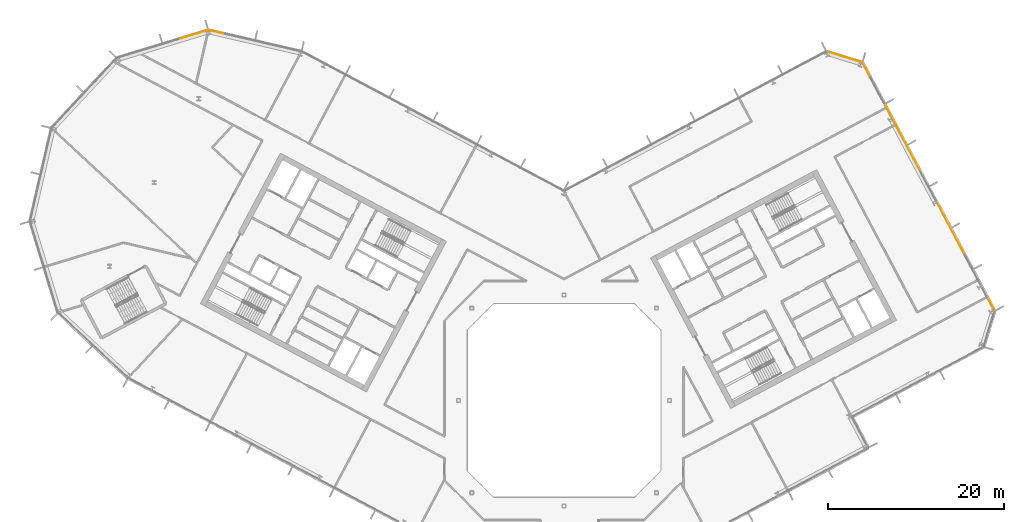
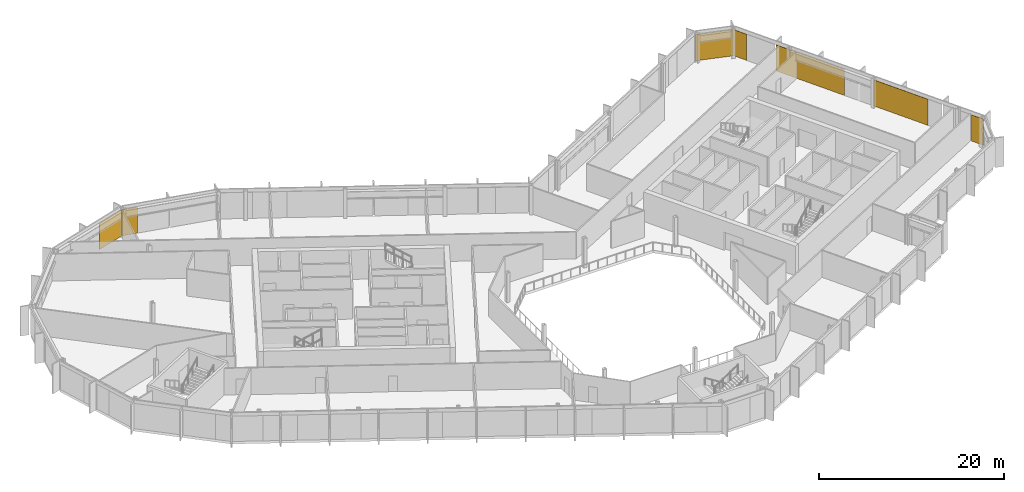
# One storey, part 27 of 27: 7 coverings, 4 elements without a shape of their own.
"""IFC4 building model written with IfcOpenShell, lengths in metres."""

from ifc_helpers import new_model, si_unit, direction, frame, origin, origin_2d, place, context, subcontext, project, spatial, rectangle, extrude, material, layer, layer_set, type_object, element, aggregate, save


model = new_model("IFC4")

# Units and contexts
model_context = context("Model", 3, precision=1e-05, world=origin(), true_north=direction((0.0, 1.0)))
body_context = subcontext(model_context, "Body", "Model", "MODEL_VIEW")
ifc_project = project(units=[si_unit("LENGTHUNIT", "METRE"), si_unit("AREAUNIT", "SQUARE_METRE"), si_unit("VOLUMEUNIT", "CUBIC_METRE"), si_unit("PLANEANGLEUNIT", "RADIAN"), si_unit("MASSUNIT", "GRAM", prefix="KILO")], contexts=[model_context])

# Site, building, storey
site_placement = place(None, origin())
site = spatial("IfcSite", under=ifc_project, at=site_placement, CompositionType="ELEMENT")
building_placement = place(site_placement, origin())
building = spatial("IfcBuilding", under=site, at=building_placement, Name="Cormorant Relay Tower", CompositionType="ELEMENT")
storey_placement = place(building_placement, frame((0.0, 0.0, 232.5)))
storey = spatial("IfcBuildingStorey", under=building, at=storey_placement, Name="L51", CompositionType="ELEMENT", Elevation=232.5)

# Curtain wall, coverings
ifc_material_1 = material(Name="Aluminium 6063-T6 anodised bronze", Category="aluminium")
ifc_layer_1 = layer(ifc_material_1, 0.199951171875)
ifc_layer_set_1 = layer_set([ifc_layer_1], Name="CW1 unitised bronze curtain wall with vertical fins")
curtain_wall_type = type_object("IfcCurtainWallType", Name="CW1 unitised bronze curtain wall with vertical fins", PredefinedType="NOTDEFINED", material=ifc_layer_set_1)
curtain_wall_1_placement = place(storey_placement, origin())
curtain_wall_1 = element("IfcCurtainWall", 1, at=curtain_wall_1_placement, inside=storey, type_object=curtain_wall_type, Name="CW1 curtain wall 6", PredefinedType="NOTDEFINED")
ifc_material_2 = material(Name="Pale bronze anodised aluminium insulated panel", Category="aluminium")
ifc_layer_2 = layer(ifc_material_2, 0.0400390625)
ifc_layer_set_2 = layer_set([ifc_layer_2], Name="CW1 pale bronze insulated panel 40")
covering_type = type_object("IfcCoveringType", Name="CW1 pale bronze insulated panel 40", PredefinedType="CLADDING", material=ifc_layer_set_2)
covering_1_placement = place(storey_placement, frame((48.56494140625, 10.947998046875, 0.0), z_axis=(0.0, 0.0, 1.0), x_axis=(-0.469471562786, 0.882947592859, 0.0)))
covering_1 = element("IfcCovering", 2, at=covering_1_placement, type_object=covering_type, Name="CW1 panel S00", PredefinedType="CLADDING", context=body_context, shape_type="SweptSolid", body=[
    extrude(rectangle(XDim=1.583251953125, YDim=0.0400390625, at=origin_2d()), origin(), (0.0, 0.0, 1.0), 3.449951171875),
])
covering_2_placement = place(storey_placement, frame((43.964111328125, 19.600830078125, 0.0), z_axis=(0.0, 0.0, 1.0), x_axis=(-0.469471562786, 0.882947592859, 0.0)))
covering_2 = element("IfcCovering", 3, at=covering_2_placement, type_object=covering_type, Name="CW1 panel S03", PredefinedType="CLADDING", context=body_context, shape_type="SweptSolid", body=[
    extrude(rectangle(XDim=6.916748046875, YDim=0.0400390625, at=origin_2d()), origin(), (0.0, 0.0, 1.0), 3.449951171875),
])
covering_3_placement = place(storey_placement, frame((38.53369140625, 29.813720703125, 0.0), z_axis=(0.0, 0.0, 1.0), x_axis=(-0.469471562786, 0.882947592859, 0.0)))
covering_3 = element("IfcCovering", 4, at=covering_3_placement, type_object=covering_type, Name="CW1 panel S06", PredefinedType="CLADDING", context=body_context, shape_type="SweptSolid", body=[
    extrude(rectangle(XDim=8.716796875, YDim=0.0400390625, at=origin_2d()), origin(), (0.0, 0.0, 1.0), 3.449951171875),
])
covering_4_placement = place(storey_placement, frame((34.337890625, 37.705078125, 0.0), z_axis=(0.0, 0.0, 1.0), x_axis=(-0.469471562786, 0.882947592859, 0.0)))
covering_4 = element("IfcCovering", 5, at=covering_4_placement, type_object=covering_type, Name="CW1 panel S08", PredefinedType="CLADDING", context=body_context, shape_type="SweptSolid", body=[
    extrude(rectangle(XDim=1.658203125, YDim=0.0400390625, at=origin_2d()), origin(), (0.0, 0.0, 1.0), 3.449951171875),
])
aggregate(curtain_wall_1, [covering_1, covering_2, covering_3, covering_4])

# Curtain wall, covering
curtain_wall_2_placement = place(storey_placement, origin())
curtain_wall_2 = element("IfcCurtainWall", 6, at=curtain_wall_2_placement, inside=storey, type_object=curtain_wall_type, Name="CW1 curtain wall 7", PredefinedType="NOTDEFINED")
covering_5_placement = place(storey_placement, frame((31.872314453125, 39.077880859375, 0.0), z_axis=(0.0, 0.0, 1.0), x_axis=(-0.956304755963, 0.292371704723, 0.0)))
covering_5 = element("IfcCovering", 7, at=covering_5_placement, type_object=covering_type, Name="CW1 panel S00", PredefinedType="CLADDING", context=body_context, shape_type="SweptSolid", body=[
    extrude(rectangle(XDim=4.16748046875, YDim=0.0400390625, at=origin_2d()), origin(), (0.0, 0.0, 1.0), 3.449951171875),
])
aggregate(curtain_wall_2, [covering_5])

curtain_wall_3_placement = place(storey_placement, origin())
curtain_wall_3 = element("IfcCurtainWall", 8, at=curtain_wall_3_placement, inside=storey, type_object=curtain_wall_type, Name="CW1 curtain wall 10", PredefinedType="NOTDEFINED")
covering_6_placement = place(storey_placement, frame((-39.603515625, 41.934814453125, 0.0), z_axis=(0.0, 0.0, 1.0), x_axis=(-0.974370064785, 0.224951054344, 0.0)))
covering_6 = element("IfcCovering", 9, at=covering_6_placement, type_object=covering_type, Name="CW1 panel S02", PredefinedType="CLADDING", context=body_context, shape_type="SweptSolid", body=[
    extrude(rectangle(XDim=1.76025390625, YDim=0.0400390625, at=origin_2d()), origin(), (0.0, 0.0, 1.0), 3.449951171875),
])
aggregate(curtain_wall_3, [covering_6])

curtain_wall_4_placement = place(storey_placement, origin())
curtain_wall_4 = element("IfcCurtainWall", 10, at=curtain_wall_4_placement, inside=storey, type_object=curtain_wall_type, Name="CW1 curtain wall 11", PredefinedType="NOTDEFINED")
covering_7_placement = place(storey_placement, frame((-42.209716796875, 41.60107421875, 0.0), z_axis=(0.0, 0.0, 1.0), x_axis=(-0.956304755963, -0.292371704723, 0.0)))
covering_7 = element("IfcCovering", 11, at=covering_7_placement, type_object=covering_type, Name="CW1 panel S00", PredefinedType="CLADDING", context=body_context, shape_type="SweptSolid", body=[
    extrude(rectangle(XDim=3.485107421875, YDim=0.0400390625, at=origin_2d()), origin(), (0.0, 0.0, 1.0), 3.449951171875),
])
aggregate(curtain_wall_4, [covering_7])

save(model, "model.ifc")
